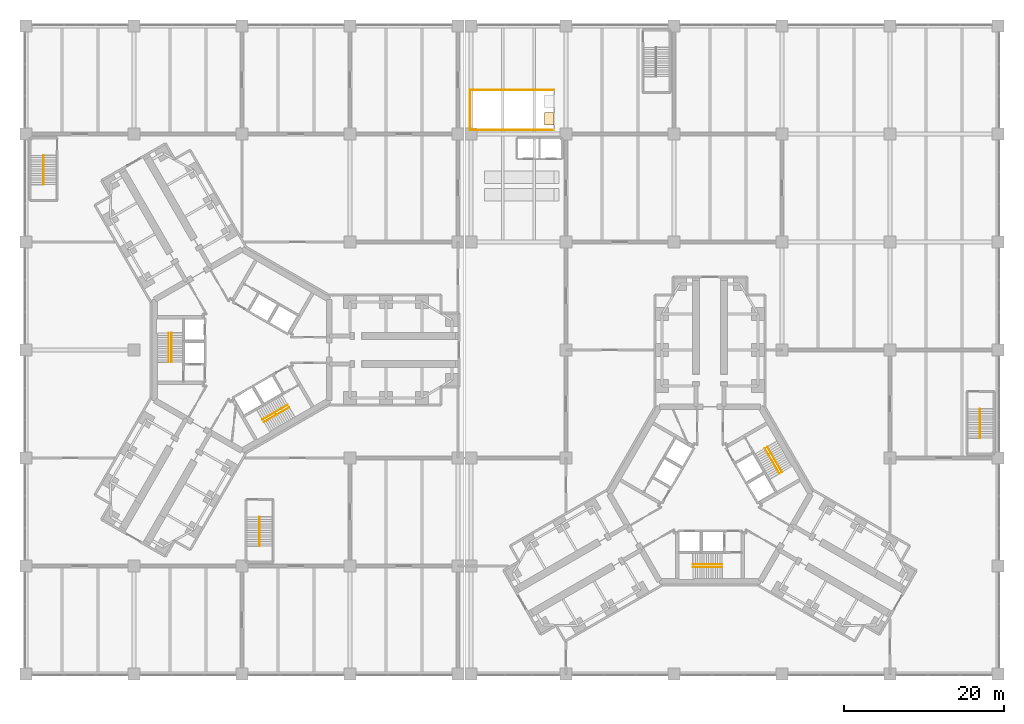
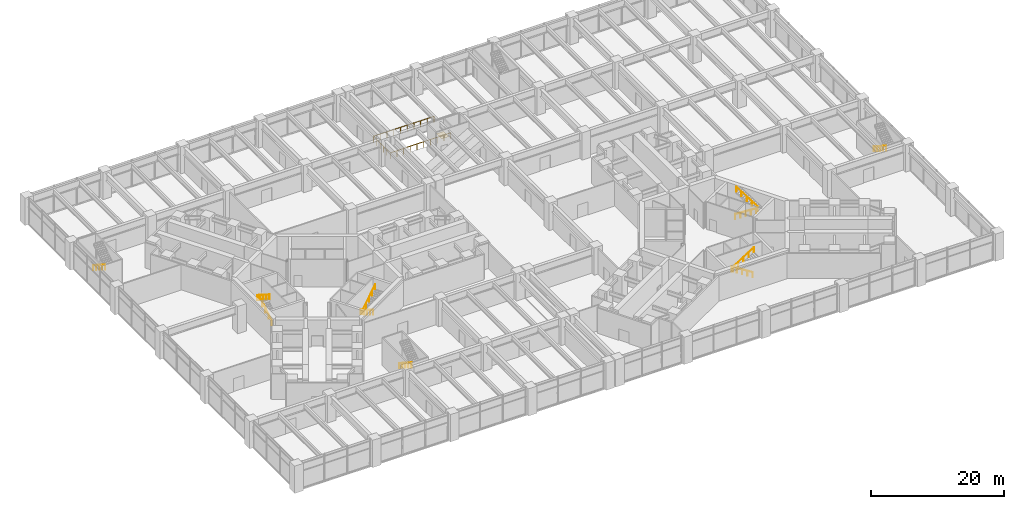
# One storey, part 30 of 32: 12 railings, 1 covering.
"""IFC4 building model written with IfcOpenShell, lengths in metres."""

from ifc_helpers import new_model, si_unit, direction, frame, origin, origin_2d, place, context, subcontext, project, spatial, rectangle, circle, extrude, material, layer, layer_set, type_object, element, save


model = new_model("IFC4")

# Units and contexts
model_context = context("Model", 3, precision=1e-05, world=origin(), true_north=direction((0.0, 1.0)))
body_context = subcontext(model_context, "Body", "Model", "MODEL_VIEW")
ifc_project = project(units=[si_unit("LENGTHUNIT", "METRE"), si_unit("AREAUNIT", "SQUARE_METRE"), si_unit("VOLUMEUNIT", "CUBIC_METRE"), si_unit("PLANEANGLEUNIT", "RADIAN"), si_unit("MASSUNIT", "GRAM", prefix="KILO")], contexts=[model_context])

# Site, building, storey
site_placement = place(None, origin())
site = spatial("IfcSite", under=ifc_project, at=site_placement, CompositionType="ELEMENT")
building_placement = place(site_placement, origin())
building = spatial("IfcBuilding", under=site, at=building_placement, Name="Upepo Twin Towers", CompositionType="ELEMENT")
storey_placement = place(building_placement, frame((0.0, 0.0, 10.5)))
storey = spatial("IfcBuildingStorey", under=building, at=storey_placement, Name="L02", CompositionType="ELEMENT", Elevation=10.5)

# Covering
ifc_material_1 = material(Name="Stainless steel chequer plate", Category="steel")
ifc_layer = layer(ifc_material_1, 0.011962890625)
ifc_layer_set = layer_set([ifc_layer], Name="Escalator floor plate, stainless steel chequer 12")
covering_type = type_object("IfcCoveringType", Name="Escalator floor plate, stainless steel chequer 12", PredefinedType="FLOORING", material=ifc_layer_set)
covering_placement = place(storey_placement, frame((38.39990234375, 28.89990234375, -0.01220703125), z_axis=(0.0, 0.0, 1.0), x_axis=(1.0, 0.0, 0.0)))
element("IfcCovering", 1, at=covering_placement, inside=storey, type_object=covering_type, Name="Escalator upper floor plate", PredefinedType="FLOORING", context=body_context, shape_type="SweptSolid", body=[
    extrude(rectangle(XDim=1.199951171875, YDim=1.60009765625, at=origin_2d()), origin(), (0.0, 0.0, 1.0), 0.011962890625),
])

# Railings
ifc_material_2 = material(Name="Stainless steel and glass", Category="steel")
railing_type_1 = type_object("IfcRailingType", Name="Guard 1100", PredefinedType="GUARDRAIL", material=ifc_material_2)
railing_1_placement = place(storey_placement, frame((39.0, 27.5, 0.0)))
element("IfcRailing", 2, at=railing_1_placement, inside=storey, type_object=railing_type_1, Name="Escalator well guard L02", PredefinedType="GUARDRAIL", context=body_context, shape_type="SweptSolid", body=[
    extrude(circle(Radius=0.02392578125, at=origin_2d()), frame((0.0, 0.0, 1.076171875), z_axis=(-1.0, 0.0, 0.0), x_axis=(0.0, -1.0, 0.0)), (0.0, 0.0, 1.0), 10.5),
    extrude(circle(Radius=0.02392578125, at=origin_2d()), frame((-10.5, 0.0, 1.076171875), z_axis=(0.0, 1.0, 0.0), x_axis=(-1.0, 0.0, 0.0)), (0.0, 0.0, 1.0), 5.0),
    extrude(circle(Radius=0.02392578125, at=origin_2d()), frame((-10.5, 5.0, 1.076171875), z_axis=(1.0, 0.0, 0.0), x_axis=(0.0, 1.0, 0.0)), (0.0, 0.0, 1.0), 10.5),
    extrude(circle(Radius=0.02099609375, at=origin_2d()), origin(), (0.0, 0.0, 1.0), 1.052001953125),
    extrude(circle(Radius=0.02099609375, at=origin_2d()), frame((-1.166748046875, 0.0, 0.0)), (0.0, 0.0, 1.0), 1.052001953125),
    extrude(circle(Radius=0.02099609375, at=origin_2d()), frame((-2.333251953125, 0.0, 0.0)), (0.0, 0.0, 1.0), 1.052001953125),
    extrude(circle(Radius=0.02099609375, at=origin_2d()), frame((-3.5, 0.0, 0.0)), (0.0, 0.0, 1.0), 1.052001953125),
    extrude(circle(Radius=0.02099609375, at=origin_2d()), frame((-4.666748046875, 0.0, 0.0)), (0.0, 0.0, 1.0), 1.052001953125),
    extrude(circle(Radius=0.02099609375, at=origin_2d()), frame((-5.833251953125, 0.0, 0.0)), (0.0, 0.0, 1.0), 1.052001953125),
    extrude(circle(Radius=0.02099609375, at=origin_2d()), frame((-7.0, 0.0, 0.0)), (0.0, 0.0, 1.0), 1.052001953125),
    extrude(circle(Radius=0.02099609375, at=origin_2d()), frame((-8.166748046875, 0.0, 0.0)), (0.0, 0.0, 1.0), 1.052001953125),
    extrude(circle(Radius=0.02099609375, at=origin_2d()), frame((-9.333251953125, 0.0, 0.0)), (0.0, 0.0, 1.0), 1.052001953125),
    extrude(circle(Radius=0.02099609375, at=origin_2d()), frame((-10.5, 0.0, 0.0)), (0.0, 0.0, 1.0), 1.052001953125),
    extrude(circle(Radius=0.02099609375, at=origin_2d()), frame((-10.5, 1.0, 0.0)), (0.0, 0.0, 1.0), 1.052001953125),
    extrude(circle(Radius=0.02099609375, at=origin_2d()), frame((-10.5, 2.0, 0.0)), (0.0, 0.0, 1.0), 1.052001953125),
    extrude(circle(Radius=0.02099609375, at=origin_2d()), frame((-10.5, 3.0, 0.0)), (0.0, 0.0, 1.0), 1.052001953125),
    extrude(circle(Radius=0.02099609375, at=origin_2d()), frame((-10.5, 4.0, 0.0)), (0.0, 0.0, 1.0), 1.052001953125),
    extrude(circle(Radius=0.02099609375, at=origin_2d()), frame((-10.5, 5.0, 0.0)), (0.0, 0.0, 1.0), 1.052001953125),
    extrude(circle(Radius=0.02099609375, at=origin_2d()), frame((-9.333251953125, 5.0, 0.0)), (0.0, 0.0, 1.0), 1.052001953125),
    extrude(circle(Radius=0.02099609375, at=origin_2d()), frame((-8.166748046875, 5.0, 0.0)), (0.0, 0.0, 1.0), 1.052001953125),
    extrude(circle(Radius=0.02099609375, at=origin_2d()), frame((-7.0, 5.0, 0.0)), (0.0, 0.0, 1.0), 1.052001953125),
    extrude(circle(Radius=0.02099609375, at=origin_2d()), frame((-5.833251953125, 5.0, 0.0)), (0.0, 0.0, 1.0), 1.052001953125),
    extrude(circle(Radius=0.02099609375, at=origin_2d()), frame((-4.666748046875, 5.0, 0.0)), (0.0, 0.0, 1.0), 1.052001953125),
    extrude(circle(Radius=0.02099609375, at=origin_2d()), frame((-3.5, 5.0, 0.0)), (0.0, 0.0, 1.0), 1.052001953125),
    extrude(circle(Radius=0.02099609375, at=origin_2d()), frame((-2.333251953125, 5.0, 0.0)), (0.0, 0.0, 1.0), 1.052001953125),
    extrude(circle(Radius=0.02099609375, at=origin_2d()), frame((-1.166748046875, 5.0, 0.0)), (0.0, 0.0, 1.0), 1.052001953125),
    extrude(circle(Radius=0.02099609375, at=origin_2d()), frame((0.0, 5.0, 0.0)), (0.0, 0.0, 1.0), 1.052001953125),
])
ifc_material_3 = material(Name="Stainless steel", Category="steel")
railing_type_2 = type_object("IfcRailingType", Name="Stair handrail 900", PredefinedType="HANDRAIL", material=ifc_material_3)
railing_2_placement = place(storey_placement, frame((-8.800048828125, -1.52001953125, 0.178466796875)))
element("IfcRailing", 3, at=railing_2_placement, inside=storey, type_object=railing_type_2, Name="T1 stair S1 L02 handrail 1", PredefinedType="HANDRAIL", context=body_context, shape_type="SweptSolid", body=[
    extrude(circle(Radius=0.02392578125, at=origin_2d()), frame((0.0, 0.0, 0.8759765625), z_axis=(0.0, 0.843127859045, 0.537713132908), x_axis=(-1.0, 0.0, 0.0)), (0.0, 0.0, 1.0), 4.3173828125),
    extrude(circle(Radius=0.02099609375, at=origin_2d()), origin(), (0.0, 0.0, 1.0), 0.851806640625),
    extrude(circle(Radius=0.02099609375, at=origin_2d()), frame((0.0, 0.91015625, 0.580322265625)), (0.0, 0.0, 1.0), 0.851806640625),
    extrude(circle(Radius=0.02099609375, at=origin_2d()), frame((0.0, 1.820068359375, 1.16064453125)), (0.0, 0.0, 1.0), 0.851806640625),
    extrude(circle(Radius=0.02099609375, at=origin_2d()), frame((0.0, 2.72998046875, 1.7412109375)), (0.0, 0.0, 1.0), 0.851806640625),
    extrude(circle(Radius=0.02099609375, at=origin_2d()), frame((0.0, 3.64013671875, 2.321533203125)), (0.0, 0.0, 1.0), 0.851806640625),
])
railing_3_placement = place(storey_placement, frame((-9.158447265625, 2.1201171875, 2.678466796875)))
element("IfcRailing", 4, at=railing_3_placement, inside=storey, type_object=railing_type_2, Name="T1 stair S1 L02 handrail 2", PredefinedType="HANDRAIL", context=body_context, shape_type="SweptSolid", body=[
    extrude(circle(Radius=0.02392578125, at=origin_2d()), frame((0.0, 0.0, 0.8759765625), z_axis=(0.0, -0.843127859045, 0.537713132908), x_axis=(1.0, 0.0, 0.0)), (0.0, 0.0, 1.0), 4.3173828125),
    extrude(circle(Radius=0.02099609375, at=origin_2d()), origin(), (0.0, 0.0, 1.0), 0.851806640625),
    extrude(circle(Radius=0.02099609375, at=origin_2d()), frame((0.0, -0.91015625, 0.580322265625)), (0.0, 0.0, 1.0), 0.851806640625),
    extrude(circle(Radius=0.02099609375, at=origin_2d()), frame((0.0, -1.820068359375, 1.16064453125)), (0.0, 0.0, 1.0), 0.851806640625),
    extrude(circle(Radius=0.02099609375, at=origin_2d()), frame((0.0, -2.72998046875, 1.7412109375)), (0.0, 0.0, 1.0), 0.851806640625),
    extrude(circle(Radius=0.02099609375, at=origin_2d()), frame((0.0, -3.64013671875, 2.321533203125)), (0.0, 0.0, 1.0), 0.851806640625),
])
railing_4_placement = place(storey_placement, frame((5.71630859375, -6.861083984375, 0.178466796875)))
element("IfcRailing", 5, at=railing_4_placement, inside=storey, type_object=railing_type_2, Name="T1 stair S2 L02 handrail 1", PredefinedType="HANDRAIL", context=body_context, shape_type="SweptSolid", body=[
    extrude(circle(Radius=0.02392578125, at=origin_2d()), frame((0.0, 0.0, 0.8759765625), z_axis=(-0.730175966949, -0.421525066422, 0.537735693132), x_axis=(0.499962438169, -0.866047089031, 0.0)), (0.0, 0.0, 1.0), 4.317138671875),
    extrude(circle(Radius=0.02099609375, at=origin_2d()), origin(), (0.0, 0.0, 1.0), 0.851806640625),
    extrude(circle(Radius=0.02099609375, at=origin_2d()), frame((-0.7880859375, -0.455078125, 0.580322265625)), (0.0, 0.0, 1.0), 0.851806640625),
    extrude(circle(Radius=0.02099609375, at=origin_2d()), frame((-1.576171875, -0.909912109375, 1.16064453125)), (0.0, 0.0, 1.0), 0.851806640625),
    extrude(circle(Radius=0.02099609375, at=origin_2d()), frame((-2.3642578125, -1.36474609375, 1.7412109375)), (0.0, 0.0, 1.0), 0.851806640625),
    extrude(circle(Radius=0.02099609375, at=origin_2d()), frame((-3.15234375, -1.81982421875, 2.321533203125)), (0.0, 0.0, 1.0), 0.851806640625),
])
railing_5_placement = place(storey_placement, frame((2.7431640625, -8.991455078125, 2.678466796875)))
element("IfcRailing", 6, at=railing_5_placement, inside=storey, type_object=railing_type_2, Name="T1 stair S2 L02 handrail 2", PredefinedType="HANDRAIL", context=body_context, shape_type="SweptSolid", body=[
    extrude(circle(Radius=0.02392578125, at=origin_2d()), frame((0.0, 0.0, 0.8759765625), z_axis=(0.730158560966, 0.421571566915, 0.537722874553), x_axis=(-0.500012742938, 0.866018046521, 0.0)), (0.0, 0.0, 1.0), 4.3173828125),
    extrude(circle(Radius=0.02099609375, at=origin_2d()), origin(), (0.0, 0.0, 1.0), 0.851806640625),
    extrude(circle(Radius=0.02099609375, at=origin_2d()), frame((0.7880859375, 0.455078125, 0.580322265625)), (0.0, 0.0, 1.0), 0.851806640625),
    extrude(circle(Radius=0.02099609375, at=origin_2d()), frame((1.576171875, 0.91015625, 1.16064453125)), (0.0, 0.0, 1.0), 0.851806640625),
    extrude(circle(Radius=0.02099609375, at=origin_2d()), frame((2.3642578125, 1.364990234375, 1.7412109375)), (0.0, 0.0, 1.0), 0.851806640625),
    extrude(circle(Radius=0.02099609375, at=origin_2d()), frame((3.15234375, 1.820068359375, 2.321533203125)), (0.0, 0.0, 1.0), 0.851806640625),
])
railing_6_placement = place(storey_placement, frame((60.02001953125, -26.800048828125, 0.178466796875)))
element("IfcRailing", 7, at=railing_6_placement, inside=storey, type_object=railing_type_2, Name="T2 stair S1 L02 handrail 1", PredefinedType="HANDRAIL", context=body_context, shape_type="SweptSolid", body=[
    extrude(circle(Radius=0.02392578125, at=origin_2d()), frame((0.0, 0.0, 0.8759765625), z_axis=(-0.843127859045, 0.0, 0.537713132908), x_axis=(0.0, -1.0, 0.0)), (0.0, 0.0, 1.0), 4.3173828125),
    extrude(circle(Radius=0.02099609375, at=origin_2d()), origin(), (0.0, 0.0, 1.0), 0.851806640625),
    extrude(circle(Radius=0.02099609375, at=origin_2d()), frame((-0.91015625, 0.0, 0.580322265625)), (0.0, 0.0, 1.0), 0.851806640625),
    extrude(circle(Radius=0.02099609375, at=origin_2d()), frame((-1.820068359375, 0.0, 1.16064453125)), (0.0, 0.0, 1.0), 0.851806640625),
    extrude(circle(Radius=0.02099609375, at=origin_2d()), frame((-2.72998046875, 0.0, 1.7412109375)), (0.0, 0.0, 1.0), 0.851806640625),
    extrude(circle(Radius=0.02099609375, at=origin_2d()), frame((-3.64013671875, 0.0, 2.321533203125)), (0.0, 0.0, 1.0), 0.851806640625),
])
railing_7_placement = place(storey_placement, frame((56.3798828125, -27.158447265625, 2.678466796875)))
element("IfcRailing", 8, at=railing_7_placement, inside=storey, type_object=railing_type_2, Name="T2 stair S1 L02 handrail 2", PredefinedType="HANDRAIL", context=body_context, shape_type="SweptSolid", body=[
    extrude(circle(Radius=0.02392578125, at=origin_2d()), frame((0.0, 0.0, 0.8759765625), z_axis=(0.843127859045, 0.0, 0.537713132908), x_axis=(0.0, 1.0, 0.0)), (0.0, 0.0, 1.0), 4.3173828125),
    extrude(circle(Radius=0.02099609375, at=origin_2d()), origin(), (0.0, 0.0, 1.0), 0.851806640625),
    extrude(circle(Radius=0.02099609375, at=origin_2d()), frame((0.91015625, 0.0, 0.580322265625)), (0.0, 0.0, 1.0), 0.851806640625),
    extrude(circle(Radius=0.02099609375, at=origin_2d()), frame((1.820068359375, 0.0, 1.16064453125)), (0.0, 0.0, 1.0), 0.851806640625),
    extrude(circle(Radius=0.02099609375, at=origin_2d()), frame((2.72998046875, 0.0, 1.7412109375)), (0.0, 0.0, 1.0), 0.851806640625),
    extrude(circle(Radius=0.02099609375, at=origin_2d()), frame((3.64013671875, 0.0, 2.321533203125)), (0.0, 0.0, 1.0), 0.851806640625),
])
railing_8_placement = place(storey_placement, frame((65.361083984375, -12.28369140625, 0.178466796875)))
element("IfcRailing", 9, at=railing_8_placement, inside=storey, type_object=railing_type_2, Name="T2 stair S2 L02 handrail 1", PredefinedType="HANDRAIL", context=body_context, shape_type="SweptSolid", body=[
    extrude(circle(Radius=0.02392578125, at=origin_2d()), frame((0.0, 0.0, 0.8759765625), z_axis=(0.421525066422, -0.730175966949, 0.537735693132), x_axis=(0.866047089031, 0.499962438169, 0.0)), (0.0, 0.0, 1.0), 4.317138671875),
    extrude(circle(Radius=0.02099609375, at=origin_2d()), origin(), (0.0, 0.0, 1.0), 0.851806640625),
    extrude(circle(Radius=0.02099609375, at=origin_2d()), frame((0.455078125, -0.7880859375, 0.580322265625)), (0.0, 0.0, 1.0), 0.851806640625),
    extrude(circle(Radius=0.02099609375, at=origin_2d()), frame((0.909912109375, -1.576171875, 1.16064453125)), (0.0, 0.0, 1.0), 0.851806640625),
    extrude(circle(Radius=0.02099609375, at=origin_2d()), frame((1.36474609375, -2.3642578125, 1.7412109375)), (0.0, 0.0, 1.0), 0.851806640625),
    extrude(circle(Radius=0.02099609375, at=origin_2d()), frame((1.81982421875, -3.15234375, 2.321533203125)), (0.0, 0.0, 1.0), 0.851806640625),
])
railing_9_placement = place(storey_placement, frame((67.491455078125, -15.2568359375, 2.678466796875)))
element("IfcRailing", 10, at=railing_9_placement, inside=storey, type_object=railing_type_2, Name="T2 stair S2 L02 handrail 2", PredefinedType="HANDRAIL", context=body_context, shape_type="SweptSolid", body=[
    extrude(circle(Radius=0.02392578125, at=origin_2d()), frame((0.0, 0.0, 0.8759765625), z_axis=(-0.421571566915, 0.730158560966, 0.537722874553), x_axis=(-0.866018046521, -0.500012742938, 0.0)), (0.0, 0.0, 1.0), 4.3173828125),
    extrude(circle(Radius=0.02099609375, at=origin_2d()), origin(), (0.0, 0.0, 1.0), 0.851806640625),
    extrude(circle(Radius=0.02099609375, at=origin_2d()), frame((-0.455078125, 0.7880859375, 0.580322265625)), (0.0, 0.0, 1.0), 0.851806640625),
    extrude(circle(Radius=0.02099609375, at=origin_2d()), frame((-0.91015625, 1.576171875, 1.16064453125)), (0.0, 0.0, 1.0), 0.851806640625),
    extrude(circle(Radius=0.02099609375, at=origin_2d()), frame((-1.364990234375, 2.3642578125, 1.7412109375)), (0.0, 0.0, 1.0), 0.851806640625),
    extrude(circle(Radius=0.02099609375, at=origin_2d()), frame((-1.820068359375, 3.15234375, 2.321533203125)), (0.0, 0.0, 1.0), 0.851806640625),
])
for number, where, name in (
    (11, (-24.830078125, 24.320068359375, 0.178466796875), "Podium stair PS1 L02 handrail"),
    (12, (92.27001953125, -7.3798828125, 0.178466796875), "Podium stair PS2 L02 handrail"),
    (13, (2.169921875, -20.8798828125, 0.178466796875), "Podium stair PS3 L02 handrail"),
):
    element("IfcRailing", number, at=place(storey_placement, frame(where)), inside=storey, type_object=railing_type_2, Name=name, PredefinedType="HANDRAIL", context=body_context, shape_type="SweptSolid", body=[
        extrude(circle(Radius=0.02392578125, at=origin_2d()), frame((0.0, 0.0, 0.8759765625), z_axis=(0.0, -0.843127859045, 0.537713132908), x_axis=(1.0, 0.0, 0.0)), (0.0, 0.0, 1.0), 4.3173828125),
        extrude(circle(Radius=0.02099609375, at=origin_2d()), origin(), (0.0, 0.0, 1.0), 0.851806640625),
        extrude(circle(Radius=0.02099609375, at=origin_2d()), frame((0.0, -0.91015625, 0.580322265625)), (0.0, 0.0, 1.0), 0.851806640625),
        extrude(circle(Radius=0.02099609375, at=origin_2d()), frame((0.0, -1.820068359375, 1.16064453125)), (0.0, 0.0, 1.0), 0.851806640625),
        extrude(circle(Radius=0.02099609375, at=origin_2d()), frame((0.0, -2.72998046875, 1.7412109375)), (0.0, 0.0, 1.0), 0.851806640625),
        extrude(circle(Radius=0.02099609375, at=origin_2d()), frame((0.0, -3.64013671875, 2.321533203125)), (0.0, 0.0, 1.0), 0.851806640625),
    ])

save(model, "model.ifc")
